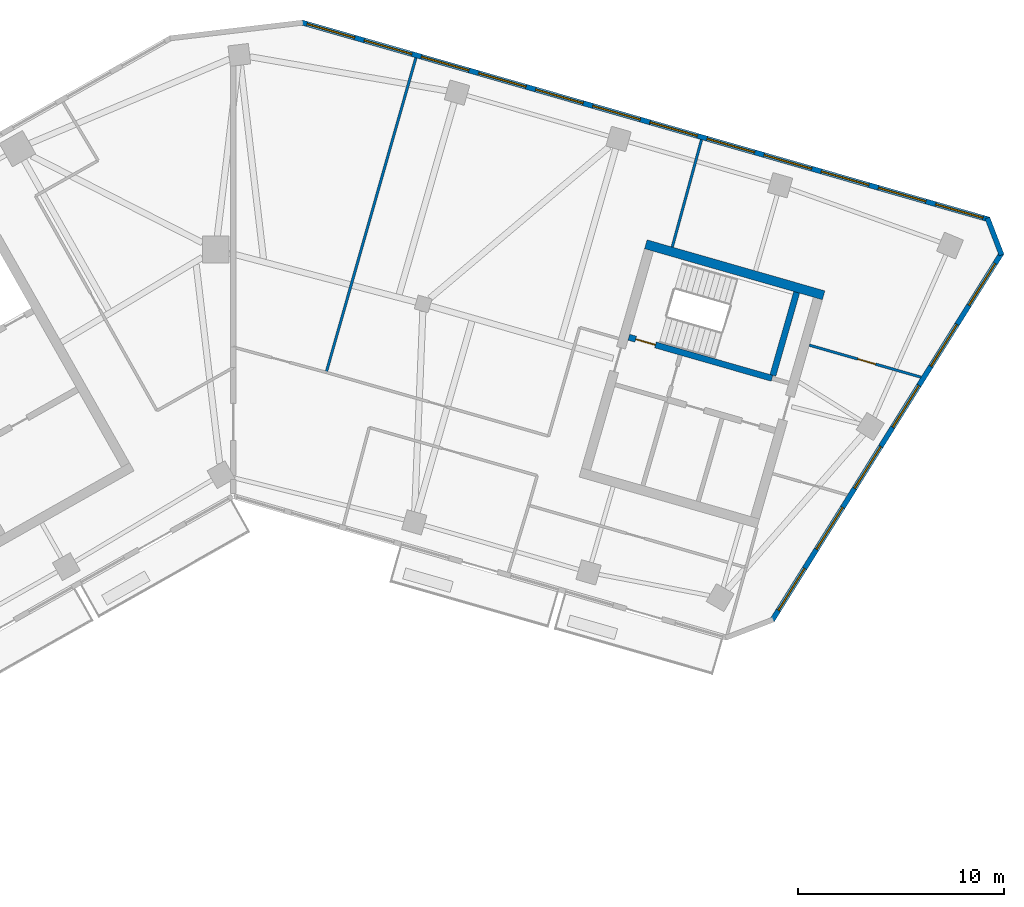
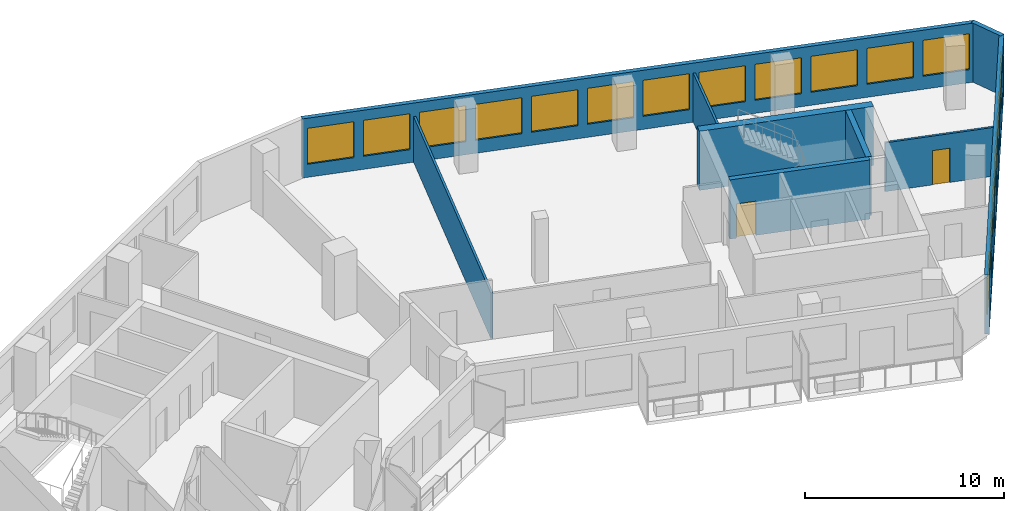
# One storey, part 8 of 12: 18 windows, 9 walls, 2 doors, 20 openings.
"""IFC4 building model written with IfcOpenShell, lengths in metres."""

from ifc_helpers import new_model, si_unit, direction, frame, frame_2d, origin, place, context, subcontext, project, spatial, rectangle, extrude, material, layer, layer_set, type_object, element, fill, save


model = new_model("IFC4")

# Units and contexts
model_context = context("Model", 3, precision=1e-05, world=origin(), true_north=direction((0.0, 1.0)))
body_context = subcontext(model_context, "Body", "Model", "MODEL_VIEW")
ifc_project = project(units=[si_unit("LENGTHUNIT", "METRE"), si_unit("AREAUNIT", "SQUARE_METRE"), si_unit("VOLUMEUNIT", "CUBIC_METRE"), si_unit("PLANEANGLEUNIT", "RADIAN"), si_unit("MASSUNIT", "GRAM", prefix="KILO")], contexts=[model_context])

# Site, building, storey
site_placement = place(None, origin())
site = spatial("IfcSite", under=ifc_project, at=site_placement, CompositionType="ELEMENT")
building_placement = place(site_placement, origin())
building = spatial("IfcBuilding", under=site, at=building_placement, Name="Binnacle Exchange Tower", CompositionType="ELEMENT")
storey_placement = place(building_placement, frame((0.0, 0.0, 250.39990234375)))
storey = spatial("IfcBuildingStorey", under=building, at=storey_placement, Name="L55", CompositionType="ELEMENT", Elevation=250.39990234375)

# Wall
ifc_material_1 = material(Name="Concrete C70/85", Category="concrete")
ifc_layer_1 = layer(ifc_material_1, 0.449951171875)
ifc_layer_set_1 = layer_set([ifc_layer_1], Name="Core wall - outer 450")
wall_type_1 = type_object("IfcWallType", Name="Core wall - outer 450", PredefinedType="SOLIDWALL", material=ifc_layer_set_1)
wall_1_placement = place(storey_placement, frame((20.073486328125, 60.251708984375, 0.0), z_axis=(0.0, 0.0, 1.0), x_axis=(0.96126248289, -0.275634611374, 0.0)))
element("IfcWall", 1, at=wall_1_placement, inside=storey, type_object=wall_type_1, Name="Core wall CRWD6", PredefinedType="SOLIDWALL", context=body_context, shape_type="SweptSolid", body=[
    extrude(rectangle(XDim=9.0, YDim=0.449951171875, at=frame_2d((4.5, 0.0))), origin(), (0.0, 0.0, 1.0), 3.6201171875),
])

# Wall, opening, door
ifc_layer_2 = layer(ifc_material_1, 0.300048828125)
ifc_layer_set_2 = layer_set([ifc_layer_2], Name="Core wall - stair 300")
wall_type_2 = type_object("IfcWallType", Name="Core wall - stair 300", PredefinedType="SOLIDWALL", material=ifc_layer_set_2)
wall_2_placement = place(storey_placement, frame((19.2451171875, 55.72998046875, 0.0), z_axis=(0.0, 0.0, 1.0), x_axis=(0.961263007877, -0.275632780503, 0.0)))
wall_2 = element("IfcWall", 2, at=wall_2_placement, inside=storey, type_object=wall_type_2, Name="Core wall CRWD4", PredefinedType="SOLIDWALL", context=body_context, shape_type="SweptSolid", body=[
    extrude(rectangle(XDim=7.249755859375, YDim=0.300048828125, at=frame_2d((3.625, 0.0))), origin(), (0.0, 0.0, 1.0), 3.6201171875),
])
opening_1_placement = place(wall_2_placement, frame((0.35009765625, 0.0, 0.0)))
opening_1 = element("IfcOpeningElement", 3, at=opening_1_placement, cuts=wall_2, Name="Opening DD1", PredefinedType="OPENING", context=body_context, shape_type="SweptSolid", body=[
    extrude(rectangle(XDim=1.0, YDim=2.10009765625, at=frame_2d((0.5, 1.050048828125))), frame((0.0, 0.159912109375, 0.0), z_axis=(0.0, -1.0, 0.0), x_axis=(1.0, 0.0, 0.0)), (0.0, 0.0, 1.0), 0.320068359375),
])
ifc_material_2 = material(Name="Steel door leaf", Category="steel")
door_type_1 = type_object("IfcDoorType", Name="Fire door 1000", OperationType="NOTDEFINED", PredefinedType="DOOR", material=ifc_material_2)
door_1_placement = place(opening_1_placement, origin())
door_1 = element("IfcDoor", 4, at=door_1_placement, inside=storey, type_object=door_type_1, Name="Stair door ST-D1", OperationType="SINGLE_SWING_LEFT", OverallHeight=2.10009765625, OverallWidth=1.0, PredefinedType="DOOR", context=body_context, shape_type="SweptSolid", body=[
    extrude(rectangle(XDim=1.0, YDim=2.10009765625, at=frame_2d((0.5, 1.050048828125))), frame((0.0, 0.02490234375, 0.0), z_axis=(0.0, -1.0, 0.0), x_axis=(1.0, 0.0, 0.0)), (0.0, 0.0, 1.0), 0.050048828125),
])
fill(opening_1, door_1)

# Wall
wall_3_placement = place(storey_placement, frame((26.255615234375, 53.875732421875, 0.0), z_axis=(0.0, 0.0, 1.0), x_axis=(0.275588560745, 0.96127568636, 0.0)))
element("IfcWall", 5, at=wall_3_placement, inside=storey, type_object=wall_type_2, Name="Core wall CRWD11", PredefinedType="SOLIDWALL", context=body_context, shape_type="SweptSolid", body=[
    extrude(rectangle(XDim=4.199951171875, YDim=0.300048828125, at=frame_2d((2.10009765625, 0.0))), origin(), (0.0, 0.0, 1.0), 3.6201171875),
])

# Wall, openings, windows
ifc_material_3 = material(Name="Bronze aluminium cladding", Category="aluminium")
ifc_layer_3 = layer(ifc_material_3, 0.25)
ifc_layer_set_3 = layer_set([ifc_layer_3], Name="External wall - window wall 250")
wall_type_3 = type_object("IfcWallType", Name="External wall - window wall 250", PredefinedType="STANDARD", material=ifc_layer_set_3)
wall_4_placement = place(storey_placement, frame((37.392333984375, 59.84033203125, 0.0), z_axis=(0.0, 0.0, 1.0), x_axis=(-0.529919909431, -0.848047692992, 0.0)))
wall_4 = element("IfcWall", 6, at=wall_4_placement, inside=storey, type_object=wall_type_3, Name="External wall EW-G04 L55", PredefinedType="STANDARD", context=body_context, shape_type="SweptSolid", body=[
    extrude(rectangle(XDim=21.104248046875, YDim=0.25, at=frame_2d((10.55224609375, 0.0))), origin(), (0.0, 0.0, 1.0), 3.6201171875),
])
opening_2_placement = place(wall_4_placement, frame((18.1123046875, 0.0, 0.800048828125)))
opening_2 = element("IfcOpeningElement", 7, at=opening_2_placement, cuts=wall_4, Name="Opening WR1", PredefinedType="OPENING", context=body_context, shape_type="SweptSolid", body=[
    extrude(rectangle(XDim=2.39990234375, YDim=2.199951171875, at=frame_2d((1.199951171875, 1.10009765625))), frame((0.0, 0.135009765625, 0.0), z_axis=(0.0, -1.0, 0.0), x_axis=(1.0, 0.0, 0.0)), (0.0, 0.0, 1.0), 0.27001953125),
])
opening_3_placement = place(wall_4_placement, frame((14.6123046875, 0.0, 0.800048828125)))
opening_3 = element("IfcOpeningElement", 8, at=opening_3_placement, cuts=wall_4, Name="Opening WR1", PredefinedType="OPENING", context=body_context, shape_type="SweptSolid", body=[
    extrude(rectangle(XDim=2.39990234375, YDim=2.199951171875, at=frame_2d((1.199951171875, 1.10009765625))), frame((0.0, 0.135009765625, 0.0), z_axis=(0.0, -1.0, 0.0), x_axis=(1.0, 0.0, 0.0)), (0.0, 0.0, 1.0), 0.27001953125),
])
opening_4_placement = place(wall_4_placement, frame((11.1123046875, 0.0, 0.800048828125)))
opening_4 = element("IfcOpeningElement", 9, at=opening_4_placement, cuts=wall_4, Name="Opening WR1", PredefinedType="OPENING", context=body_context, shape_type="SweptSolid", body=[
    extrude(rectangle(XDim=2.39990234375, YDim=2.199951171875, at=frame_2d((1.199951171875, 1.10009765625))), frame((0.0, 0.135009765625, 0.0), z_axis=(0.0, -1.0, 0.0), x_axis=(1.0, 0.0, 0.0)), (0.0, 0.0, 1.0), 0.27001953125),
])
opening_5_placement = place(wall_4_placement, frame((7.6123046875, 0.0, 0.800048828125)))
opening_5 = element("IfcOpeningElement", 10, at=opening_5_placement, cuts=wall_4, Name="Opening WR1", PredefinedType="OPENING", context=body_context, shape_type="SweptSolid", body=[
    extrude(rectangle(XDim=2.39990234375, YDim=2.199951171875, at=frame_2d((1.199951171875, 1.10009765625))), frame((0.0, 0.135009765625, 0.0), z_axis=(0.0, -1.0, 0.0), x_axis=(1.0, 0.0, 0.0)), (0.0, 0.0, 1.0), 0.27001953125),
])
opening_6_placement = place(wall_4_placement, frame((4.1123046875, 0.0, 0.800048828125)))
opening_6 = element("IfcOpeningElement", 11, at=opening_6_placement, cuts=wall_4, Name="Opening WR1", PredefinedType="OPENING", context=body_context, shape_type="SweptSolid", body=[
    extrude(rectangle(XDim=2.39990234375, YDim=2.199951171875, at=frame_2d((1.199951171875, 1.10009765625))), frame((0.0, 0.135009765625, 0.0), z_axis=(0.0, -1.0, 0.0), x_axis=(1.0, 0.0, 0.0)), (0.0, 0.0, 1.0), 0.27001953125),
])
opening_7_placement = place(wall_4_placement, frame((0.6123046875, 0.0, 0.800048828125)))
opening_7 = element("IfcOpeningElement", 12, at=opening_7_placement, cuts=wall_4, Name="Opening WR1", PredefinedType="OPENING", context=body_context, shape_type="SweptSolid", body=[
    extrude(rectangle(XDim=2.39990234375, YDim=2.199951171875, at=frame_2d((1.199951171875, 1.10009765625))), frame((0.0, 0.135009765625, 0.0), z_axis=(0.0, -1.0, 0.0), x_axis=(1.0, 0.0, 0.0)), (0.0, 0.0, 1.0), 0.27001953125),
])
ifc_material_4 = material(Name="Bronze anodised aluminium frame", Category="aluminium")
window_type = type_object("IfcWindowType", Name="WR1 WINDOW 2400x2200", PartitioningType="SINGLE_PANEL", PredefinedType="WINDOW", material=ifc_material_4)
window_1_placement = place(opening_2_placement, origin())
window_1 = element("IfcWindow", 13, at=window_1_placement, inside=storey, type_object=window_type, Name="Window WR1 L55", OverallHeight=2.199951171875, OverallWidth=2.39990234375, PartitioningType="SINGLE_PANEL", PredefinedType="WINDOW", context=body_context, shape_type="SweptSolid", body=[
    extrude(rectangle(XDim=2.39990234375, YDim=2.199951171875, at=frame_2d((1.199951171875, 1.10009765625))), frame((0.0, 0.030029296875, 0.0), z_axis=(0.0, -1.0, 0.0), x_axis=(1.0, 0.0, 0.0)), (0.0, 0.0, 1.0), 0.06005859375),
])
fill(opening_2, window_1)
window_2_placement = place(opening_3_placement, origin())
window_2 = element("IfcWindow", 14, at=window_2_placement, inside=storey, type_object=window_type, Name="Window WR1 L55", OverallHeight=2.199951171875, OverallWidth=2.39990234375, PartitioningType="SINGLE_PANEL", PredefinedType="WINDOW", context=body_context, shape_type="SweptSolid", body=[
    extrude(rectangle(XDim=2.39990234375, YDim=2.199951171875, at=frame_2d((1.199951171875, 1.10009765625))), frame((0.0, 0.030029296875, 0.0), z_axis=(0.0, -1.0, 0.0), x_axis=(1.0, 0.0, 0.0)), (0.0, 0.0, 1.0), 0.06005859375),
])
fill(opening_3, window_2)
window_3_placement = place(opening_4_placement, origin())
window_3 = element("IfcWindow", 15, at=window_3_placement, inside=storey, type_object=window_type, Name="Window WR1 L55", OverallHeight=2.199951171875, OverallWidth=2.39990234375, PartitioningType="SINGLE_PANEL", PredefinedType="WINDOW", context=body_context, shape_type="SweptSolid", body=[
    extrude(rectangle(XDim=2.39990234375, YDim=2.199951171875, at=frame_2d((1.199951171875, 1.10009765625))), frame((0.0, 0.030029296875, 0.0), z_axis=(0.0, -1.0, 0.0), x_axis=(1.0, 0.0, 0.0)), (0.0, 0.0, 1.0), 0.06005859375),
])
fill(opening_4, window_3)
window_4_placement = place(opening_5_placement, origin())
window_4 = element("IfcWindow", 16, at=window_4_placement, inside=storey, type_object=window_type, Name="Window WR1 L55", OverallHeight=2.199951171875, OverallWidth=2.39990234375, PartitioningType="SINGLE_PANEL", PredefinedType="WINDOW", context=body_context, shape_type="SweptSolid", body=[
    extrude(rectangle(XDim=2.39990234375, YDim=2.199951171875, at=frame_2d((1.199951171875, 1.10009765625))), frame((0.0, 0.030029296875, 0.0), z_axis=(0.0, -1.0, 0.0), x_axis=(1.0, 0.0, 0.0)), (0.0, 0.0, 1.0), 0.06005859375),
])
fill(opening_5, window_4)
window_5_placement = place(opening_6_placement, origin())
window_5 = element("IfcWindow", 17, at=window_5_placement, inside=storey, type_object=window_type, Name="Window WR1 L55", OverallHeight=2.199951171875, OverallWidth=2.39990234375, PartitioningType="SINGLE_PANEL", PredefinedType="WINDOW", context=body_context, shape_type="SweptSolid", body=[
    extrude(rectangle(XDim=2.39990234375, YDim=2.199951171875, at=frame_2d((1.199951171875, 1.10009765625))), frame((0.0, 0.030029296875, 0.0), z_axis=(0.0, -1.0, 0.0), x_axis=(1.0, 0.0, 0.0)), (0.0, 0.0, 1.0), 0.06005859375),
])
fill(opening_6, window_5)
window_6_placement = place(opening_7_placement, origin())
window_6 = element("IfcWindow", 18, at=window_6_placement, inside=storey, type_object=window_type, Name="Window WR1 L55", OverallHeight=2.199951171875, OverallWidth=2.39990234375, PartitioningType="SINGLE_PANEL", PredefinedType="WINDOW", context=body_context, shape_type="SweptSolid", body=[
    extrude(rectangle(XDim=2.39990234375, YDim=2.199951171875, at=frame_2d((1.199951171875, 1.10009765625))), frame((0.0, 0.030029296875, 0.0), z_axis=(0.0, -1.0, 0.0), x_axis=(1.0, 0.0, 0.0)), (0.0, 0.0, 1.0), 0.06005859375),
])
fill(opening_7, window_6)

# Wall
wall_5_placement = place(storey_placement, frame((36.68994140625, 61.531005859375, 0.0), z_axis=(0.0, 0.0, 1.0), x_axis=(0.358377147136, -0.933576895821, 0.0)))
element("IfcWall", 19, at=wall_5_placement, inside=storey, type_object=wall_type_3, Name="External wall EW-G05 L55", PredefinedType="STANDARD", context=body_context, shape_type="SweptSolid", body=[
    extrude(rectangle(XDim=1.929931640625, YDim=0.25, at=frame_2d((0.96484375, 0.0))), origin(), (0.0, 0.0, 1.0), 3.6201171875),
])

# Wall, openings, windows
wall_6_placement = place(storey_placement, frame((3.34033203125, 71.042236328125, 0.0), z_axis=(0.0, 0.0, 1.0), x_axis=(0.96126179431, -0.275637012753, 0.0)))
wall_6 = element("IfcWall", 20, at=wall_6_placement, inside=storey, type_object=wall_type_3, Name="External wall EW-G06 L55", PredefinedType="STANDARD", context=body_context, shape_type="SweptSolid", body=[
    extrude(rectangle(XDim=34.779052734375, YDim=0.25, at=frame_2d((17.3896484375, 0.0))), origin(), (0.0, 0.0, 1.0), 3.6201171875),
])
opening_8_placement = place(wall_6_placement, frame((32.0712890625, 0.0, 0.800048828125)))
opening_8 = element("IfcOpeningElement", 21, at=opening_8_placement, cuts=wall_6, Name="Opening WR1", PredefinedType="OPENING", context=body_context, shape_type="SweptSolid", body=[
    extrude(rectangle(XDim=2.39990234375, YDim=2.199951171875, at=frame_2d((1.199951171875, 1.10009765625))), frame((0.0, 0.135009765625, 0.0), z_axis=(0.0, -1.0, 0.0), x_axis=(1.0, 0.0, 0.0)), (0.0, 0.0, 1.0), 0.27001953125),
])
opening_9_placement = place(wall_6_placement, frame((29.180419921875, 0.0, 0.800048828125)))
opening_9 = element("IfcOpeningElement", 22, at=opening_9_placement, cuts=wall_6, Name="Opening WR1", PredefinedType="OPENING", context=body_context, shape_type="SweptSolid", body=[
    extrude(rectangle(XDim=2.39990234375, YDim=2.199951171875, at=frame_2d((1.199951171875, 1.10009765625))), frame((0.0, 0.135009765625, 0.0), z_axis=(0.0, -1.0, 0.0), x_axis=(1.0, 0.0, 0.0)), (0.0, 0.0, 1.0), 0.27001953125),
])
opening_10_placement = place(wall_6_placement, frame((26.289306640625, 0.0, 0.800048828125)))
opening_10 = element("IfcOpeningElement", 23, at=opening_10_placement, cuts=wall_6, Name="Opening WR1", PredefinedType="OPENING", context=body_context, shape_type="SweptSolid", body=[
    extrude(rectangle(XDim=2.39990234375, YDim=2.199951171875, at=frame_2d((1.199951171875, 1.10009765625))), frame((0.0, 0.135009765625, 0.0), z_axis=(0.0, -1.0, 0.0), x_axis=(1.0, 0.0, 0.0)), (0.0, 0.0, 1.0), 0.27001953125),
])
opening_11_placement = place(wall_6_placement, frame((23.3984375, 0.0, 0.800048828125)))
opening_11 = element("IfcOpeningElement", 24, at=opening_11_placement, cuts=wall_6, Name="Opening WR1", PredefinedType="OPENING", context=body_context, shape_type="SweptSolid", body=[
    extrude(rectangle(XDim=2.39990234375, YDim=2.199951171875, at=frame_2d((1.199951171875, 1.10009765625))), frame((0.0, 0.135009765625, 0.0), z_axis=(0.0, -1.0, 0.0), x_axis=(1.0, 0.0, 0.0)), (0.0, 0.0, 1.0), 0.27001953125),
])
opening_12_placement = place(wall_6_placement, frame((20.507568359375, 0.0, 0.800048828125)))
opening_12 = element("IfcOpeningElement", 25, at=opening_12_placement, cuts=wall_6, Name="Opening WR1", PredefinedType="OPENING", context=body_context, shape_type="SweptSolid", body=[
    extrude(rectangle(XDim=2.39990234375, YDim=2.199951171875, at=frame_2d((1.199951171875, 1.10009765625))), frame((0.0, 0.135009765625, 0.0), z_axis=(0.0, -1.0, 0.0), x_axis=(1.0, 0.0, 0.0)), (0.0, 0.0, 1.0), 0.27001953125),
])
opening_13_placement = place(wall_6_placement, frame((17.616455078125, 0.0, 0.800048828125)))
opening_13 = element("IfcOpeningElement", 26, at=opening_13_placement, cuts=wall_6, Name="Opening WR1", PredefinedType="OPENING", context=body_context, shape_type="SweptSolid", body=[
    extrude(rectangle(XDim=2.39990234375, YDim=2.199951171875, at=frame_2d((1.199951171875, 1.10009765625))), frame((0.0, 0.135009765625, 0.0), z_axis=(0.0, -1.0, 0.0), x_axis=(1.0, 0.0, 0.0)), (0.0, 0.0, 1.0), 0.27001953125),
])
opening_14_placement = place(wall_6_placement, frame((14.7255859375, 0.0, 0.800048828125)))
opening_14 = element("IfcOpeningElement", 27, at=opening_14_placement, cuts=wall_6, Name="Opening WR1", PredefinedType="OPENING", context=body_context, shape_type="SweptSolid", body=[
    extrude(rectangle(XDim=2.39990234375, YDim=2.199951171875, at=frame_2d((1.199951171875, 1.10009765625))), frame((0.0, 0.135009765625, 0.0), z_axis=(0.0, -1.0, 0.0), x_axis=(1.0, 0.0, 0.0)), (0.0, 0.0, 1.0), 0.27001953125),
])
opening_15_placement = place(wall_6_placement, frame((11.83447265625, 0.0, 0.800048828125)))
opening_15 = element("IfcOpeningElement", 28, at=opening_15_placement, cuts=wall_6, Name="Opening WR1", PredefinedType="OPENING", context=body_context, shape_type="SweptSolid", body=[
    extrude(rectangle(XDim=2.39990234375, YDim=2.199951171875, at=frame_2d((1.199951171875, 1.10009765625))), frame((0.0, 0.135009765625, 0.0), z_axis=(0.0, -1.0, 0.0), x_axis=(1.0, 0.0, 0.0)), (0.0, 0.0, 1.0), 0.27001953125),
])
opening_16_placement = place(wall_6_placement, frame((8.943603515625, 0.0, 0.800048828125)))
opening_16 = element("IfcOpeningElement", 29, at=opening_16_placement, cuts=wall_6, Name="Opening WR1", PredefinedType="OPENING", context=body_context, shape_type="SweptSolid", body=[
    extrude(rectangle(XDim=2.39990234375, YDim=2.199951171875, at=frame_2d((1.199951171875, 1.10009765625))), frame((0.0, 0.135009765625, 0.0), z_axis=(0.0, -1.0, 0.0), x_axis=(1.0, 0.0, 0.0)), (0.0, 0.0, 1.0), 0.27001953125),
])
opening_17_placement = place(wall_6_placement, frame((6.052490234375, 0.0, 0.800048828125)))
opening_17 = element("IfcOpeningElement", 30, at=opening_17_placement, cuts=wall_6, Name="Opening WR1", PredefinedType="OPENING", context=body_context, shape_type="SweptSolid", body=[
    extrude(rectangle(XDim=2.39990234375, YDim=2.199951171875, at=frame_2d((1.199951171875, 1.10009765625))), frame((0.0, 0.135009765625, 0.0), z_axis=(0.0, -1.0, 0.0), x_axis=(1.0, 0.0, 0.0)), (0.0, 0.0, 1.0), 0.27001953125),
])
opening_18_placement = place(wall_6_placement, frame((3.16162109375, 0.0, 0.800048828125)))
opening_18 = element("IfcOpeningElement", 31, at=opening_18_placement, cuts=wall_6, Name="Opening WR1", PredefinedType="OPENING", context=body_context, shape_type="SweptSolid", body=[
    extrude(rectangle(XDim=2.39990234375, YDim=2.199951171875, at=frame_2d((1.199951171875, 1.10009765625))), frame((0.0, 0.135009765625, 0.0), z_axis=(0.0, -1.0, 0.0), x_axis=(1.0, 0.0, 0.0)), (0.0, 0.0, 1.0), 0.27001953125),
])
opening_19_placement = place(wall_6_placement, frame((0.2705078125, 0.0, 0.800048828125)))
opening_19 = element("IfcOpeningElement", 32, at=opening_19_placement, cuts=wall_6, Name="Opening WR1", PredefinedType="OPENING", context=body_context, shape_type="SweptSolid", body=[
    extrude(rectangle(XDim=2.39990234375, YDim=2.199951171875, at=frame_2d((1.199951171875, 1.10009765625))), frame((0.0, 0.135009765625, 0.0), z_axis=(0.0, -1.0, 0.0), x_axis=(1.0, 0.0, 0.0)), (0.0, 0.0, 1.0), 0.27001953125),
])
window_7_placement = place(opening_8_placement, origin())
window_7 = element("IfcWindow", 33, at=window_7_placement, inside=storey, type_object=window_type, Name="Window WR1 L55", OverallHeight=2.199951171875, OverallWidth=2.39990234375, PartitioningType="SINGLE_PANEL", PredefinedType="WINDOW", context=body_context, shape_type="SweptSolid", body=[
    extrude(rectangle(XDim=2.39990234375, YDim=2.199951171875, at=frame_2d((1.199951171875, 1.10009765625))), frame((0.0, 0.030029296875, 0.0), z_axis=(0.0, -1.0, 0.0), x_axis=(1.0, 0.0, 0.0)), (0.0, 0.0, 1.0), 0.06005859375),
])
fill(opening_8, window_7)
window_8_placement = place(opening_9_placement, origin())
window_8 = element("IfcWindow", 34, at=window_8_placement, inside=storey, type_object=window_type, Name="Window WR1 L55", OverallHeight=2.199951171875, OverallWidth=2.39990234375, PartitioningType="SINGLE_PANEL", PredefinedType="WINDOW", context=body_context, shape_type="SweptSolid", body=[
    extrude(rectangle(XDim=2.39990234375, YDim=2.199951171875, at=frame_2d((1.199951171875, 1.10009765625))), frame((0.0, 0.030029296875, 0.0), z_axis=(0.0, -1.0, 0.0), x_axis=(1.0, 0.0, 0.0)), (0.0, 0.0, 1.0), 0.06005859375),
])
fill(opening_9, window_8)
window_9_placement = place(opening_10_placement, origin())
window_9 = element("IfcWindow", 35, at=window_9_placement, inside=storey, type_object=window_type, Name="Window WR1 L55", OverallHeight=2.199951171875, OverallWidth=2.39990234375, PartitioningType="SINGLE_PANEL", PredefinedType="WINDOW", context=body_context, shape_type="SweptSolid", body=[
    extrude(rectangle(XDim=2.39990234375, YDim=2.199951171875, at=frame_2d((1.199951171875, 1.10009765625))), frame((0.0, 0.030029296875, 0.0), z_axis=(0.0, -1.0, 0.0), x_axis=(1.0, 0.0, 0.0)), (0.0, 0.0, 1.0), 0.06005859375),
])
fill(opening_10, window_9)
window_10_placement = place(opening_11_placement, origin())
window_10 = element("IfcWindow", 36, at=window_10_placement, inside=storey, type_object=window_type, Name="Window WR1 L55", OverallHeight=2.199951171875, OverallWidth=2.39990234375, PartitioningType="SINGLE_PANEL", PredefinedType="WINDOW", context=body_context, shape_type="SweptSolid", body=[
    extrude(rectangle(XDim=2.39990234375, YDim=2.199951171875, at=frame_2d((1.199951171875, 1.10009765625))), frame((0.0, 0.030029296875, 0.0), z_axis=(0.0, -1.0, 0.0), x_axis=(1.0, 0.0, 0.0)), (0.0, 0.0, 1.0), 0.06005859375),
])
fill(opening_11, window_10)
window_11_placement = place(opening_12_placement, origin())
window_11 = element("IfcWindow", 37, at=window_11_placement, inside=storey, type_object=window_type, Name="Window WR1 L55", OverallHeight=2.199951171875, OverallWidth=2.39990234375, PartitioningType="SINGLE_PANEL", PredefinedType="WINDOW", context=body_context, shape_type="SweptSolid", body=[
    extrude(rectangle(XDim=2.39990234375, YDim=2.199951171875, at=frame_2d((1.199951171875, 1.10009765625))), frame((0.0, 0.030029296875, 0.0), z_axis=(0.0, -1.0, 0.0), x_axis=(1.0, 0.0, 0.0)), (0.0, 0.0, 1.0), 0.06005859375),
])
fill(opening_12, window_11)
window_12_placement = place(opening_13_placement, origin())
window_12 = element("IfcWindow", 38, at=window_12_placement, inside=storey, type_object=window_type, Name="Window WR1 L55", OverallHeight=2.199951171875, OverallWidth=2.39990234375, PartitioningType="SINGLE_PANEL", PredefinedType="WINDOW", context=body_context, shape_type="SweptSolid", body=[
    extrude(rectangle(XDim=2.39990234375, YDim=2.199951171875, at=frame_2d((1.199951171875, 1.10009765625))), frame((0.0, 0.030029296875, 0.0), z_axis=(0.0, -1.0, 0.0), x_axis=(1.0, 0.0, 0.0)), (0.0, 0.0, 1.0), 0.06005859375),
])
fill(opening_13, window_12)
window_13_placement = place(opening_14_placement, origin())
window_13 = element("IfcWindow", 39, at=window_13_placement, inside=storey, type_object=window_type, Name="Window WR1 L55", OverallHeight=2.199951171875, OverallWidth=2.39990234375, PartitioningType="SINGLE_PANEL", PredefinedType="WINDOW", context=body_context, shape_type="SweptSolid", body=[
    extrude(rectangle(XDim=2.39990234375, YDim=2.199951171875, at=frame_2d((1.199951171875, 1.10009765625))), frame((0.0, 0.030029296875, 0.0), z_axis=(0.0, -1.0, 0.0), x_axis=(1.0, 0.0, 0.0)), (0.0, 0.0, 1.0), 0.06005859375),
])
fill(opening_14, window_13)
window_14_placement = place(opening_15_placement, origin())
window_14 = element("IfcWindow", 40, at=window_14_placement, inside=storey, type_object=window_type, Name="Window WR1 L55", OverallHeight=2.199951171875, OverallWidth=2.39990234375, PartitioningType="SINGLE_PANEL", PredefinedType="WINDOW", context=body_context, shape_type="SweptSolid", body=[
    extrude(rectangle(XDim=2.39990234375, YDim=2.199951171875, at=frame_2d((1.199951171875, 1.10009765625))), frame((0.0, 0.030029296875, 0.0), z_axis=(0.0, -1.0, 0.0), x_axis=(1.0, 0.0, 0.0)), (0.0, 0.0, 1.0), 0.06005859375),
])
fill(opening_15, window_14)
window_15_placement = place(opening_16_placement, origin())
window_15 = element("IfcWindow", 41, at=window_15_placement, inside=storey, type_object=window_type, Name="Window WR1 L55", OverallHeight=2.199951171875, OverallWidth=2.39990234375, PartitioningType="SINGLE_PANEL", PredefinedType="WINDOW", context=body_context, shape_type="SweptSolid", body=[
    extrude(rectangle(XDim=2.39990234375, YDim=2.199951171875, at=frame_2d((1.199951171875, 1.10009765625))), frame((0.0, 0.030029296875, 0.0), z_axis=(0.0, -1.0, 0.0), x_axis=(1.0, 0.0, 0.0)), (0.0, 0.0, 1.0), 0.06005859375),
])
fill(opening_16, window_15)
window_16_placement = place(opening_17_placement, origin())
window_16 = element("IfcWindow", 42, at=window_16_placement, inside=storey, type_object=window_type, Name="Window WR1 L55", OverallHeight=2.199951171875, OverallWidth=2.39990234375, PartitioningType="SINGLE_PANEL", PredefinedType="WINDOW", context=body_context, shape_type="SweptSolid", body=[
    extrude(rectangle(XDim=2.39990234375, YDim=2.199951171875, at=frame_2d((1.199951171875, 1.10009765625))), frame((0.0, 0.030029296875, 0.0), z_axis=(0.0, -1.0, 0.0), x_axis=(1.0, 0.0, 0.0)), (0.0, 0.0, 1.0), 0.06005859375),
])
fill(opening_17, window_16)
window_17_placement = place(opening_18_placement, origin())
window_17 = element("IfcWindow", 43, at=window_17_placement, inside=storey, type_object=window_type, Name="Window WR1 L55", OverallHeight=2.199951171875, OverallWidth=2.39990234375, PartitioningType="SINGLE_PANEL", PredefinedType="WINDOW", context=body_context, shape_type="SweptSolid", body=[
    extrude(rectangle(XDim=2.39990234375, YDim=2.199951171875, at=frame_2d((1.199951171875, 1.10009765625))), frame((0.0, 0.030029296875, 0.0), z_axis=(0.0, -1.0, 0.0), x_axis=(1.0, 0.0, 0.0)), (0.0, 0.0, 1.0), 0.06005859375),
])
fill(opening_18, window_17)
window_18_placement = place(opening_19_placement, origin())
window_18 = element("IfcWindow", 44, at=window_18_placement, inside=storey, type_object=window_type, Name="Window WR1 L55", OverallHeight=2.199951171875, OverallWidth=2.39990234375, PartitioningType="SINGLE_PANEL", PredefinedType="WINDOW", context=body_context, shape_type="SweptSolid", body=[
    extrude(rectangle(XDim=2.39990234375, YDim=2.199951171875, at=frame_2d((1.199951171875, 1.10009765625))), frame((0.0, 0.030029296875, 0.0), z_axis=(0.0, -1.0, 0.0), x_axis=(1.0, 0.0, 0.0)), (0.0, 0.0, 1.0), 0.06005859375),
])
fill(opening_19, window_18)

# Walls
ifc_material_5 = material(Name="Gypsum partition")
ifc_layer_4 = layer(ifc_material_5, 0.125)
ifc_layer_set_4 = layer_set([ifc_layer_4], Name="Partition 125")
wall_type_4 = type_object("IfcWallType", Name="Partition 125", PredefinedType="PARTITIONING", material=ifc_layer_set_4)
wall_7_placement = place(storey_placement, frame((4.527099609375, 54.02001953125, 0.0), z_axis=(0.0, 0.0, 1.0), x_axis=(0.274088747086, 0.961704402985, 0.0)))
element("IfcWall", 45, at=wall_7_placement, inside=storey, type_object=wall_type_4, Name="Partition W26", PredefinedType="PARTITIONING", context=body_context, shape_type="SweptSolid", body=[
    extrude(rectangle(XDim=15.910400390625, YDim=0.125, at=frame_2d((7.955078125, 0.0))), origin(), (0.0, 0.0, 1.0), 2.800048828125),
])
wall_8_placement = place(storey_placement, frame((21.360107421875, 60.116943359375, 0.0), z_axis=(0.0, 0.0, 1.0), x_axis=(0.263151767798, 0.964754449124, 0.0)))
element("IfcWall", 46, at=wall_8_placement, inside=storey, type_object=wall_type_4, Name="Partition W35", PredefinedType="PARTITIONING", context=body_context, shape_type="SweptSolid", body=[
    extrude(rectangle(XDim=5.41064453125, YDim=0.125, at=frame_2d((2.705322265625, 0.0))), origin(), (0.0, 0.0, 1.0), 3.0),
])

# Wall, opening, door
wall_9_placement = place(storey_placement, frame((28.029052734375, 55.343994140625, 0.0), z_axis=(0.0, 0.0, 1.0), x_axis=(0.961249621014, -0.275679462603, 0.0)))
wall_9 = element("IfcWall", 47, at=wall_9_placement, inside=storey, type_object=wall_type_4, Name="Partition W39", PredefinedType="PARTITIONING", context=body_context, shape_type="SweptSolid", body=[
    extrude(rectangle(XDim=5.65185546875, YDim=0.125, at=frame_2d((2.825927734375, 0.0))), origin(), (0.0, 0.0, 1.0), 2.988037109375),
])
opening_20_placement = place(wall_9_placement, frame((2.449951171875, 0.0, 0.0)))
opening_20 = element("IfcOpeningElement", 48, at=opening_20_placement, cuts=wall_9, Name="Opening DL55-12", PredefinedType="OPENING", context=body_context, shape_type="SweptSolid", body=[
    extrude(rectangle(XDim=0.89990234375, YDim=2.10009765625, at=frame_2d((0.449951171875, 1.050048828125))), frame((0.0, 0.072509765625, 0.0), z_axis=(0.0, -1.0, 0.0), x_axis=(1.0, 0.0, 0.0)), (0.0, 0.0, 1.0), 0.14501953125),
])
ifc_material_6 = material(Name="Timber door leaf", Category="wood")
door_type_2 = type_object("IfcDoorType", Name="Door 900", OperationType="NOTDEFINED", PredefinedType="DOOR", material=ifc_material_6)
door_2_placement = place(opening_20_placement, origin())
door_2 = element("IfcDoor", 49, at=door_2_placement, inside=storey, type_object=door_type_2, Name="Door DL55-12", OperationType="SINGLE_SWING_RIGHT", OverallHeight=2.10009765625, OverallWidth=0.89990234375, PredefinedType="DOOR", context=body_context, shape_type="SweptSolid", body=[
    extrude(rectangle(XDim=0.89990234375, YDim=2.10009765625, at=frame_2d((0.449951171875, 1.050048828125))), frame((0.0, 0.02490234375, 0.0), z_axis=(0.0, -1.0, 0.0), x_axis=(1.0, 0.0, 0.0)), (0.0, 0.0, 1.0), 0.050048828125),
])
fill(opening_20, door_2)

save(model, "model.ifc")
